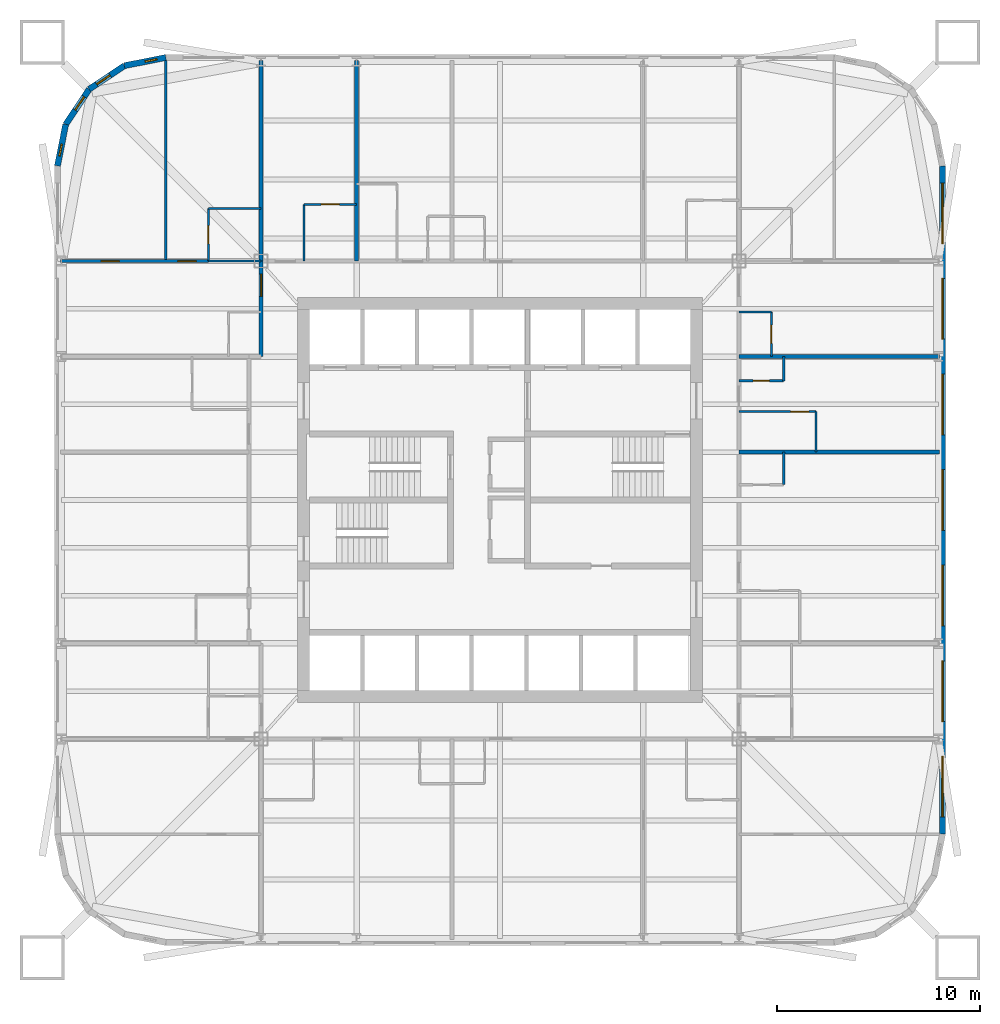
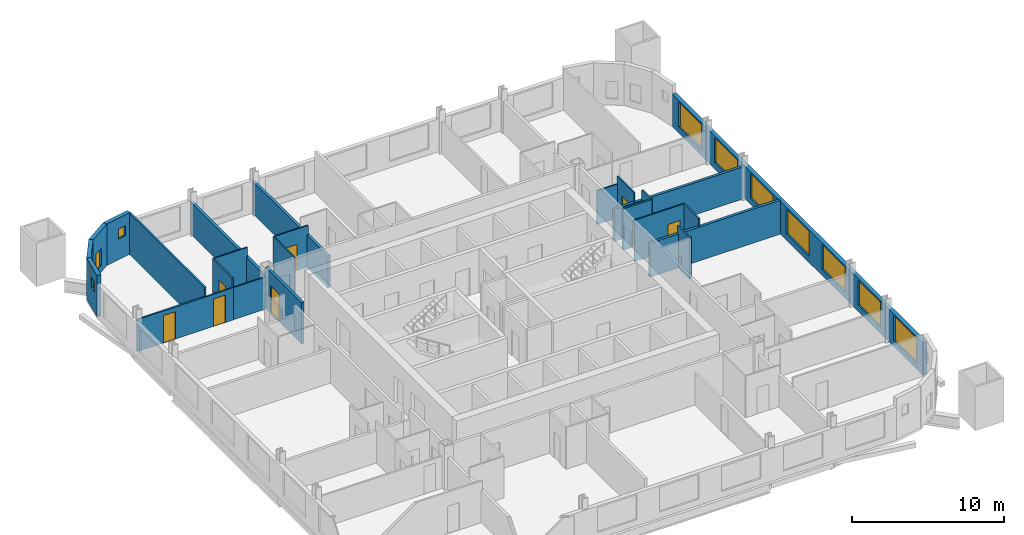
# One storey, part 6 of 9: 24 walls, 11 windows, 8 doors, 19 openings.
"""IFC4 building model written with IfcOpenShell, lengths in metres."""

import ifcopenshell
import ifcopenshell.guid

model = None  # the IFC model being written
_history = None  # IfcOwnerHistory: only IFC2X3 demands one
_inside = {}  # id of a spatial element -> (the spatial element, [elements in it])
_under = {}  # id of a project, library or spatial element -> (it, [spatial elements below it])
_declared = {}  # id of a project -> (the project, [libraries it declares])
_typed = {}  # id of a type object -> (the type object, [elements of that type])
_made_of = {}  # id of a material, layer set ... -> (it, [elements and type objects made of it])


def new_model(schema):
    """Start an empty IFC model of exactly this schema.

    Asked for "IFC4X3", IfcOpenShell would pick the latest addendum, in which some entities
    have other attributes; the version numbers below select the first issue.
    IFC2X3 requires an IfcOwnerHistory on every rooted entity: one is made here for all.
    """
    global model, _history
    if schema == "IFC4X3":
        model = ifcopenshell.file(schema_version=(4, 3, 0, 0))
    else:
        model = ifcopenshell.file(schema=schema)
    _inside.clear()
    _under.clear()
    _declared.clear()
    _typed.clear()
    _made_of.clear()
    _history = None
    if model.schema == "IFC2X3":
        org = make("IfcOrganization", Name="unknown")
        user = make(
            "IfcPersonAndOrganization",
            ThePerson=make("IfcPerson", FamilyName="unknown"),
            TheOrganization=org,
        )
        app = make(
            "IfcApplication",
            ApplicationDeveloper=org,
            Version="unknown",
            ApplicationFullName="unknown",
            ApplicationIdentifier="unknown",
        )
        _history = make(
            "IfcOwnerHistory",
            OwningUser=user,
            OwningApplication=app,
            ChangeAction="ADDED",
            CreationDate=0,
        )
    return model


def make(cls, **values):
    """One entity of the class cls with the attributes given. An attribute that is None is left unset."""
    return model.create_entity(
        cls, **{name: value for name, value in values.items() if value is not None}
    )


def rooted(cls, **values):
    """An entity with a GlobalId (a new one), such as an element, a storey or a relation."""
    return make(cls, GlobalId=ifcopenshell.guid.new(), OwnerHistory=_history, **values)


def si_unit(unit_type, name, prefix=None):
    """IfcSIUnit, for example si_unit("LENGTHUNIT", "METRE", prefix="MILLI")."""
    return make("IfcSIUnit", UnitType=unit_type, Prefix=prefix, Name=name)


def assignment(units):
    """IfcUnitAssignment: the units of a project."""
    return None if units is None else make("IfcUnitAssignment", Units=units)


def point(xyz):
    """IfcCartesianPoint."""
    return None if xyz is None else make("IfcCartesianPoint", Coordinates=xyz)


def direction(xyz):
    """IfcDirection."""
    return None if xyz is None else make("IfcDirection", DirectionRatios=xyz)


def frame(location, z_axis=None, x_axis=None):
    """IfcAxis2Placement3D, a coordinate frame: its origin and axes. An axis left out is left unset."""
    return make(
        "IfcAxis2Placement3D",
        Location=point(location),
        Axis=direction(z_axis),
        RefDirection=direction(x_axis),
    )


def frame_2d(location, x_axis=None):
    """IfcAxis2Placement2D, a coordinate frame in the plane: its origin and x axis."""
    return make(
        "IfcAxis2Placement2D", Location=point(location), RefDirection=direction(x_axis)
    )


def origin():
    """The frame at (0, 0, 0) with its axes left unset."""
    return frame((0.0, 0.0, 0.0))


def place(relative_to, where):
    """IfcLocalPlacement: puts the frame where relative to a parent placement (None: the world)."""
    return make(
        "IfcLocalPlacement", PlacementRelTo=relative_to, RelativePlacement=where
    )


def context(
    kind, dimensions, precision=None, world=None, true_north=None, identifier=None
):
    """IfcGeometricRepresentationContext, for example the 3D "Model" context."""
    return make(
        "IfcGeometricRepresentationContext",
        ContextIdentifier=identifier,
        ContextType=kind,
        CoordinateSpaceDimension=dimensions,
        Precision=precision,
        WorldCoordinateSystem=world,
        TrueNorth=true_north,
    )


def subcontext(parent, identifier, kind, view, scale=None):
    """IfcGeometricRepresentationSubContext, for example "Body" below "Model"."""
    return make(
        "IfcGeometricRepresentationSubContext",
        ContextIdentifier=identifier,
        ContextType=kind,
        ParentContext=parent,
        TargetScale=scale,
        TargetView=view,
    )


def project(units=None, contexts=None):
    """IfcProject with its units and contexts."""
    return rooted(
        "IfcProject",
        Name="project",
        RepresentationContexts=contexts,
        UnitsInContext=assignment(units),
    )


def spatial(cls, under=None, at=None, **own):
    """A site, building, storey or space (cls), placed at a placement, below another one or the project."""
    s = rooted(cls, ObjectPlacement=at, **own)
    if under is not None:
        _under.setdefault(under.id(), (under, []))[1].append(s)
    return s


def profile(cls, at=None, kind="AREA", **sizes):
    """A parametric profile (cls). Its sizes go by their IFC names, for example OverallWidth=200.0."""
    return make(cls, ProfileType=kind, Position=at, **sizes)


def rectangle(**sizes):
    """IfcRectangleProfileDef."""
    return profile("IfcRectangleProfileDef", **sizes)


def extrude(swept, where, along, depth):
    """IfcExtrudedAreaSolid: the profile swept, set in the frame where, extruded along a direction by depth."""
    return make(
        "IfcExtrudedAreaSolid",
        SweptArea=swept,
        Position=where,
        ExtrudedDirection=direction(along),
        Depth=depth,
    )


def shape(context_of_items, identifier, shape_type, items):
    """IfcShapeRepresentation: the items that make up one representation, for example the "Body"."""
    return make(
        "IfcShapeRepresentation",
        ContextOfItems=context_of_items,
        RepresentationIdentifier=identifier,
        RepresentationType=shape_type,
        Items=items,
    )


def material(Name=None, Category=None):
    """IfcMaterial."""
    return make("IfcMaterial", Name=Name, Category=Category)


def layer(
    of_material, thickness, ventilated=None, Name=None, Category=None, Priority=None
):
    """IfcMaterialLayer: one layer of a wall or slab, of a material (None: an air gap)."""
    return make(
        "IfcMaterialLayer",
        Material=of_material,
        LayerThickness=thickness,
        IsVentilated=ventilated,
        Name=Name,
        Category=Category,
        Priority=Priority,
    )


def layer_set(layers, Name=None):
    """IfcMaterialLayerSet."""
    return make("IfcMaterialLayerSet", MaterialLayers=layers, LayerSetName=Name)


def made_of(thing, what):
    """Note that an element or type object is made of a material, layer set ...; save() writes the relation."""
    if what is not None:
        _made_of.setdefault(what.id(), (what, []))[1].append(thing)
    return thing


def type_object(cls, material=None, **own):
    """A type object (cls), such as IfcWallType, which elements share."""
    return made_of(rooted(cls, **own), material)


def element(
    cls,
    number,
    at=None,
    inside=None,
    cuts=None,
    type_object=None,
    material=None,
    context=None,
    identifier="Body",
    shape_type=None,
    held_by="IfcProductDefinitionShape",
    body=None,
    shapes=None,
    **own,
):
    """One element of the class cls, such as IfcWall. Its Tag is "e" and its number.

    at: its placement. inside: the storey or other place that contains it. cuts: it is an
    opening in that element (IfcRelVoidsElement). A single representation is given by context,
    identifier, shape_type and body (its items); several are given by shapes. held_by: the class
    of the entity that holds the representations. save() writes the other relations.
    """
    e = rooted(cls, Tag="e%d" % number, ObjectPlacement=at, **own)
    if body is not None:
        shapes = [shape(context, identifier, shape_type, body)]
    if shapes is not None:
        e.Representation = make(held_by, Representations=shapes)
    if inside is not None:
        _inside.setdefault(inside.id(), (inside, []))[1].append(e)
    if cuts is not None:
        rooted(
            "IfcRelVoidsElement", RelatingBuildingElement=cuts, RelatedOpeningElement=e
        )
    if type_object is not None:
        _typed.setdefault(type_object.id(), (type_object, []))[1].append(e)
    return made_of(e, material)


def fill(opening, filler):
    """IfcRelFillsElement: the door or window that sits in an opening."""
    return rooted(
        "IfcRelFillsElement",
        RelatingOpeningElement=opening,
        RelatedBuildingElement=filler,
    )


def aggregate(whole, parts):
    """IfcRelAggregates: a whole, such as a stair, and the parts it consists of."""
    return rooted("IfcRelAggregates", RelatingObject=whole, RelatedObjects=parts)


def save(model, path):
    """Write the relations noted so far, then the file.

    IfcRelAggregates (storeys below a building ...), IfcRelContainedInSpatialStructure (elements
    in a storey), IfcRelDefinesByType, IfcRelAssociatesMaterial and IfcRelDeclares: one each for
    every whole, place, type object, material and project.
    """
    for whole, parts in _under.values():
        aggregate(whole, parts)
    for where, things in _inside.values():
        rooted(
            "IfcRelContainedInSpatialStructure",
            RelatedElements=things,
            RelatingStructure=where,
        )
    for kind, things in _typed.values():
        rooted("IfcRelDefinesByType", RelatedObjects=things, RelatingType=kind)
    for what, things in _made_of.values():
        rooted("IfcRelAssociatesMaterial", RelatedObjects=things, RelatingMaterial=what)
    for by, libraries in _declared.values():
        rooted("IfcRelDeclares", RelatingContext=by, RelatedDefinitions=libraries)
    model.write(path)


model = new_model("IFC4")

# Units and contexts
model_context = context("Model", 3, precision=1e-05, world=origin(), true_north=direction((0.0, 1.0)))
body_context = subcontext(model_context, "Body", "Model", "MODEL_VIEW")
ifc_project = project(units=[si_unit("LENGTHUNIT", "METRE"), si_unit("AREAUNIT", "SQUARE_METRE"), si_unit("VOLUMEUNIT", "CUBIC_METRE"), si_unit("PLANEANGLEUNIT", "RADIAN"), si_unit("MASSUNIT", "GRAM", prefix="KILO")], contexts=[model_context])

# Site, building, storey
site_placement = place(None, origin())
site = spatial("IfcSite", under=ifc_project, at=site_placement, CompositionType="ELEMENT")
building_placement = place(site_placement, origin())
building = spatial("IfcBuilding", under=site, at=building_placement, Name="Turquesa Mirador Hotel Tower", CompositionType="ELEMENT")
storey_placement = place(building_placement, frame((0.0, 0.0, 81.0)))
storey = spatial("IfcBuildingStorey", under=building, at=storey_placement, Name="L21", CompositionType="ELEMENT", Elevation=81.0)

# Walls
ifc_material_1 = material(Name="Gypsum board on steel studs", Category="steel")
ifc_layer_1 = layer(ifc_material_1, 0.10009765625)
ifc_layer_set_1 = layer_set([ifc_layer_1], Name="BATHROOM WALL 100")
wall_type_1 = type_object("IfcWallType", Name="BATHROOM WALL 100", PredefinedType="PARTITIONING", material=ifc_layer_set_1)
wall_1_placement = place(storey_placement, frame((40.60009765625, 56.800048828125, 0.0), z_axis=(0.0, 0.0, 1.0), x_axis=(1.0, 0.0, 0.0)))
element("IfcWall", 1, at=wall_1_placement, inside=storey, type_object=wall_type_1, Name="Partition L21 018", PredefinedType="PARTITIONING", context=body_context, shape_type="SweptSolid", body=[
    extrude(rectangle(XDim=2.599853515625, YDim=0.10009765625, at=frame_2d((1.2998046875, 0.0))), origin(), (0.0, 0.0, 1.0), 2.572998046875),
])
wall_2_placement = place(storey_placement, frame((40.60009765625, 59.39990234375, 0.0), z_axis=(0.0, 0.0, 1.0), x_axis=(1.0, 0.0, 0.0)))
element("IfcWall", 2, at=wall_2_placement, inside=storey, type_object=wall_type_1, Name="Partition L21 025", PredefinedType="PARTITIONING", context=body_context, shape_type="SweptSolid", body=[
    extrude(rectangle(XDim=2.599853515625, YDim=0.10009765625, at=frame_2d((1.2998046875, 0.0))), origin(), (0.0, 0.0, 1.0), 3.330078125),
])

# Wall, opening, door
wall_3_placement = place(storey_placement, frame((45.320068359375, 59.60009765625, 0.0), z_axis=(0.0, 0.0, 1.0), x_axis=(1.0, 0.0, 0.0)))
wall_3 = element("IfcWall", 3, at=wall_3_placement, inside=storey, type_object=wall_type_1, Name="Partition L21 027", PredefinedType="PARTITIONING", context=body_context, shape_type="SweptSolid", body=[
    extrude(rectangle(XDim=2.599853515625, YDim=0.10009765625, at=frame_2d((1.2998046875, 0.0))), origin(), (0.0, 0.0, 1.0), 3.330078125),
])
opening_1_placement = place(wall_3_placement, frame((0.85009765625, 0.0, 0.0)))
opening_1 = element("IfcOpeningElement", 4, at=opening_1_placement, cuts=wall_3, Name="Opening D02", PredefinedType="OPENING", context=body_context, shape_type="SweptSolid", body=[
    extrude(rectangle(XDim=0.89990234375, YDim=2.10009765625, at=frame_2d((0.449951171875, 1.050048828125))), frame((0.0, 0.06005859375, 0.0), z_axis=(0.0, -1.0, 0.0), x_axis=(1.0, 0.0, 0.0)), (0.0, 0.0, 1.0), 0.1201171875),
])
ifc_material_2 = material(Name="Timber veneered door", Category="wood")
door_type_1 = type_object("IfcDoorType", Name="DOOR 900X2100 EN-SUITE", OperationType="SINGLE_SWING_RIGHT", PredefinedType="DOOR", material=ifc_material_2)
door_1_placement = place(opening_1_placement, origin())
door_1 = element("IfcDoor", 5, at=door_1_placement, inside=storey, type_object=door_type_1, Name="Door 2101B", OperationType="SINGLE_SWING_RIGHT", OverallHeight=2.10009765625, OverallWidth=0.89990234375, PredefinedType="DOOR", context=body_context, shape_type="SweptSolid", body=[
    extrude(rectangle(XDim=0.89990234375, YDim=2.10009765625, at=frame_2d((0.449951171875, 1.050048828125))), frame((0.0, 0.02490234375, 0.0), z_axis=(0.0, -1.0, 0.0), x_axis=(1.0, 0.0, 0.0)), (0.0, 0.0, 1.0), 0.050048828125),
])
fill(opening_1, door_1)

wall_4_placement = place(storey_placement, frame((66.800048828125, 49.360107421875, 0.0), z_axis=(0.0, 0.0, 1.0), x_axis=(1.0, 0.0, 0.0)))
wall_4 = element("IfcWall", 6, at=wall_4_placement, inside=storey, type_object=wall_type_1, Name="Partition L21 032", PredefinedType="PARTITIONING", context=body_context, shape_type="SweptSolid", body=[
    extrude(rectangle(XDim=3.800048828125, YDim=0.10009765625, at=frame_2d((1.89990234375, 0.0))), origin(), (0.0, 0.0, 1.0), 3.330078125),
])
opening_2_placement = place(wall_4_placement, frame((2.550048828125, 0.0, 0.0)))
opening_2 = element("IfcOpeningElement", 7, at=opening_2_placement, cuts=wall_4, Name="Opening D02", PredefinedType="OPENING", context=body_context, shape_type="SweptSolid", body=[
    extrude(rectangle(XDim=0.89990234375, YDim=2.10009765625, at=frame_2d((0.449951171875, 1.050048828125))), frame((0.0, 0.06005859375, 0.0), z_axis=(0.0, -1.0, 0.0), x_axis=(1.0, 0.0, 0.0)), (0.0, 0.0, 1.0), 0.1201171875),
])
door_2_placement = place(opening_2_placement, origin())
door_2 = element("IfcDoor", 8, at=door_2_placement, inside=storey, type_object=door_type_1, Name="Door 2107B", OperationType="SINGLE_SWING_RIGHT", OverallHeight=2.10009765625, OverallWidth=0.89990234375, PredefinedType="DOOR", context=body_context, shape_type="SweptSolid", body=[
    extrude(rectangle(XDim=0.89990234375, YDim=2.10009765625, at=frame_2d((0.449951171875, 1.050048828125))), frame((0.0, 0.02490234375, 0.0), z_axis=(0.0, -1.0, 0.0), x_axis=(1.0, 0.0, 0.0)), (0.0, 0.0, 1.0), 0.050048828125),
])
fill(opening_2, door_2)

# Wall
wall_5_placement = place(storey_placement, frame((66.800048828125, 54.280029296875, 0.0), z_axis=(0.0, 0.0, 1.0), x_axis=(1.0, 0.0, 0.0)))
element("IfcWall", 9, at=wall_5_placement, inside=storey, type_object=wall_type_1, Name="Partition L21 039", PredefinedType="PARTITIONING", context=body_context, shape_type="SweptSolid", body=[
    extrude(rectangle(XDim=1.599853515625, YDim=0.10009765625, at=frame_2d((0.7998046875, 0.0))), origin(), (0.0, 0.0, 1.0), 2.722900390625),
])

# Wall, opening, door
wall_6_placement = place(storey_placement, frame((40.60009765625, 56.800048828125, 0.0), z_axis=(0.0, 0.0, 1.0), x_axis=(0.0, 1.0, 0.0)))
wall_6 = element("IfcWall", 10, at=wall_6_placement, inside=storey, type_object=wall_type_1, Name="Partition L21 049", PredefinedType="PARTITIONING", context=body_context, shape_type="SweptSolid", body=[
    extrude(rectangle(XDim=2.599853515625, YDim=0.10009765625, at=frame_2d((1.2998046875, 0.0))), origin(), (0.0, 0.0, 1.0), 3.330078125),
])
opening_3_placement = place(wall_6_placement, frame((0.85009765625, 0.0, 0.0)))
opening_3 = element("IfcOpeningElement", 11, at=opening_3_placement, cuts=wall_6, Name="Opening D02", PredefinedType="OPENING", context=body_context, shape_type="SweptSolid", body=[
    extrude(rectangle(XDim=0.89990234375, YDim=2.10009765625, at=frame_2d((0.449951171875, 1.050048828125))), frame((0.0, 0.06005859375, 0.0), z_axis=(0.0, -1.0, 0.0), x_axis=(1.0, 0.0, 0.0)), (0.0, 0.0, 1.0), 0.1201171875),
])
door_3_placement = place(opening_3_placement, origin())
door_3 = element("IfcDoor", 12, at=door_3_placement, inside=storey, type_object=door_type_1, Name="Door 2110B", OperationType="SINGLE_SWING_RIGHT", OverallHeight=2.10009765625, OverallWidth=0.89990234375, PredefinedType="DOOR", context=body_context, shape_type="SweptSolid", body=[
    extrude(rectangle(XDim=0.89990234375, YDim=2.10009765625, at=frame_2d((0.449951171875, 1.050048828125))), frame((0.0, 0.02490234375, 0.0), z_axis=(0.0, -1.0, 0.0), x_axis=(1.0, 0.0, 0.0)), (0.0, 0.0, 1.0), 0.050048828125),
])
fill(opening_3, door_3)

# Wall
wall_7_placement = place(storey_placement, frame((45.320068359375, 56.800048828125, 0.0), z_axis=(0.0, 0.0, 1.0), x_axis=(0.0, 1.0, 0.0)))
element("IfcWall", 13, at=wall_7_placement, inside=storey, type_object=wall_type_1, Name="Partition L21 061", PredefinedType="PARTITIONING", context=body_context, shape_type="SweptSolid", body=[
    extrude(rectangle(XDim=2.800048828125, YDim=0.10009765625, at=frame_2d((1.39990234375, 0.0))), origin(), (0.0, 0.0, 1.0), 3.330078125),
])

# Wall, opening, door
wall_8_placement = place(storey_placement, frame((68.39990234375, 52.080078125, 0.0), z_axis=(0.0, 0.0, 1.0), x_axis=(0.0, 1.0, 0.0)))
wall_8 = element("IfcWall", 14, at=wall_8_placement, inside=storey, type_object=wall_type_1, Name="Partition L21 065", PredefinedType="PARTITIONING", context=body_context, shape_type="SweptSolid", body=[
    extrude(rectangle(XDim=2.199951171875, YDim=0.10009765625, at=frame_2d((1.10009765625, 0.0))), origin(), (0.0, 0.0, 1.0), 3.330078125),
])
opening_4_placement = place(wall_8_placement, frame((0.64990234375, 0.0, 0.0)))
opening_4 = element("IfcOpeningElement", 15, at=opening_4_placement, cuts=wall_8, Name="Opening D06", PredefinedType="OPENING", context=body_context, shape_type="SweptSolid", body=[
    extrude(rectangle(XDim=0.89990234375, YDim=2.10009765625, at=frame_2d((0.449951171875, 1.050048828125))), frame((0.0, 0.06005859375, 0.0), z_axis=(0.0, -1.0, 0.0), x_axis=(1.0, 0.0, 0.0)), (0.0, 0.0, 1.0), 0.1201171875),
])
ifc_material_3 = material(Name="Laminate door", Category="wood")
door_type_2 = type_object("IfcDoorType", Name="DOOR 900X2100 WC", OperationType="SINGLE_SWING_LEFT", PredefinedType="DOOR", material=ifc_material_3)
door_4_placement = place(opening_4_placement, origin())
door_4 = element("IfcDoor", 16, at=door_4_placement, inside=storey, type_object=door_type_2, Name="Door 2109W", OperationType="SINGLE_SWING_LEFT", OverallHeight=2.10009765625, OverallWidth=0.89990234375, PredefinedType="DOOR", context=body_context, shape_type="SweptSolid", body=[
    extrude(rectangle(XDim=0.89990234375, YDim=2.10009765625, at=frame_2d((0.449951171875, 1.050048828125))), frame((0.0, 0.02490234375, 0.0), z_axis=(0.0, -1.0, 0.0), x_axis=(1.0, 0.0, 0.0)), (0.0, 0.0, 1.0), 0.050048828125),
])
fill(opening_4, door_4)

# Wall
wall_9_placement = place(storey_placement, frame((70.60009765625, 47.360107421875, 0.0), z_axis=(0.0, 0.0, 1.0), x_axis=(0.0, 1.0, 0.0)))
element("IfcWall", 17, at=wall_9_placement, inside=storey, type_object=wall_type_1, Name="Partition L21 072", PredefinedType="PARTITIONING", context=body_context, shape_type="SweptSolid", body=[
    extrude(rectangle(XDim=2.0, YDim=0.10009765625, at=frame_2d((1.0, 0.0))), origin(), (0.0, 0.0, 1.0), 3.330078125),
])

# Wall, opening, door
ifc_material_4 = material(Name="Fire-rated gypsum board on steel studs", Category="steel")
ifc_layer_2 = layer(ifc_material_4, 0.199951171875)
ifc_layer_set_2 = layer_set([ifc_layer_2], Name="CORRIDOR WALL 200")
wall_type_2 = type_object("IfcWallType", Name="CORRIDOR WALL 200", PredefinedType="PARTITIONING", material=ifc_layer_set_2)
wall_10_placement = place(storey_placement, frame((43.199951171875, 52.080078125, 0.0), z_axis=(0.0, 0.0, 1.0), x_axis=(0.0, 1.0, 0.0)))
wall_10 = element("IfcWall", 18, at=wall_10_placement, inside=storey, type_object=wall_type_2, Name="Partition L21 043", PredefinedType="PARTITIONING", context=body_context, shape_type="SweptSolid", body=[
    extrude(rectangle(XDim=4.719970703125, YDim=0.199951171875, at=frame_2d((2.35986328125, 0.0))), origin(), (0.0, 0.0, 1.0), 3.330078125),
])
opening_5_placement = place(wall_10_placement, frame((2.969970703125, 0.0, 0.0)))
opening_5 = element("IfcOpeningElement", 19, at=opening_5_placement, cuts=wall_10, Name="Opening D15", PredefinedType="OPENING", context=body_context, shape_type="SweptSolid", body=[
    extrude(rectangle(XDim=1.10009765625, YDim=2.199951171875, at=frame_2d((0.550048828125, 1.10009765625))), frame((0.0, 0.10986328125, 0.0), z_axis=(0.0, -1.0, 0.0), x_axis=(1.0, 0.0, 0.0)), (0.0, 0.0, 1.0), 0.219970703125),
])
ifc_material_5 = material(Name="Timber veneered fire door", Category="wood")
door_type_3 = type_object("IfcDoorType", Name="DOOR 1100X2200 SUITE ENTRY", OperationType="SINGLE_SWING_LEFT", PredefinedType="DOOR", material=ifc_material_5)
door_5_placement = place(opening_5_placement, origin())
door_5 = element("IfcDoor", 20, at=door_5_placement, inside=storey, type_object=door_type_3, Name="Door 2110", OperationType="SINGLE_SWING_LEFT", OverallHeight=2.199951171875, OverallWidth=1.10009765625, PredefinedType="DOOR", context=body_context, shape_type="SweptSolid", body=[
    extrude(rectangle(XDim=1.10009765625, YDim=2.199951171875, at=frame_2d((0.550048828125, 1.10009765625))), frame((0.0, 0.02490234375, 0.0), z_axis=(0.0, -1.0, 0.0), x_axis=(1.0, 0.0, 0.0)), (0.0, 0.0, 1.0), 0.050048828125),
])
fill(opening_5, door_5)

# Wall, openings, windows
ifc_material_6 = material(Name="Limestone cladding on concrete block", Category="masonry")
ifc_layer_3 = layer(ifc_material_6, 0.300048828125)
ifc_layer_set_3 = layer_set([ifc_layer_3], Name="FACADE WALL 300 STONE SCREEN")
wall_type_3 = type_object("IfcWallType", Name="FACADE WALL 300 STONE SCREEN", PredefinedType="SOLIDWALL", material=ifc_layer_set_3)
wall_11_placement = place(storey_placement, frame((76.85009765625, 28.5, 0.0), z_axis=(0.0, 0.0, 1.0), x_axis=(0.0, 1.0, 0.0)))
wall_11 = element("IfcWall", 21, at=wall_11_placement, inside=storey, type_object=wall_type_3, Name="Facade wall L21 04", PredefinedType="SOLIDWALL", context=body_context, shape_type="SweptSolid", body=[
    extrude(rectangle(XDim=33.0, YDim=0.300048828125, at=frame_2d((16.5, 0.0))), origin(), (0.0, 0.0, 1.0), 2.6298828125),
])
opening_6_placement = place(wall_11_placement, frame((0.85009765625, 0.0, 0.5)))
opening_6 = element("IfcOpeningElement", 22, at=opening_6_placement, cuts=wall_11, Name="Opening WN1", PredefinedType="OPENING", context=body_context, shape_type="SweptSolid", body=[
    extrude(rectangle(XDim=3.0, YDim=2.0, at=frame_2d((1.5, 1.0))), frame((0.0, 0.159912109375, 0.0), z_axis=(0.0, -1.0, 0.0), x_axis=(1.0, 0.0, 0.0)), (0.0, 0.0, 1.0), 0.320068359375),
])
opening_7_placement = place(wall_11_placement, frame((5.56005859375, 0.0, 0.5)))
opening_7 = element("IfcOpeningElement", 23, at=opening_7_placement, cuts=wall_11, Name="Opening WN1", PredefinedType="OPENING", context=body_context, shape_type="SweptSolid", body=[
    extrude(rectangle(XDim=3.0, YDim=2.0, at=frame_2d((1.5, 1.0))), frame((0.0, 0.159912109375, 0.0), z_axis=(0.0, -1.0, 0.0), x_axis=(1.0, 0.0, 0.0)), (0.0, 0.0, 1.0), 0.320068359375),
])
opening_8_placement = place(wall_11_placement, frame((10.280029296875, 0.0, 0.5)))
opening_8 = element("IfcOpeningElement", 24, at=opening_8_placement, cuts=wall_11, Name="Opening WN1", PredefinedType="OPENING", context=body_context, shape_type="SweptSolid", body=[
    extrude(rectangle(XDim=3.0, YDim=2.0, at=frame_2d((1.5, 1.0))), frame((0.0, 0.159912109375, 0.0), z_axis=(0.0, -1.0, 0.0), x_axis=(1.0, 0.0, 0.0)), (0.0, 0.0, 1.0), 0.320068359375),
])
opening_9_placement = place(wall_11_placement, frame((15.0, 0.0, 0.5)))
opening_9 = element("IfcOpeningElement", 25, at=opening_9_placement, cuts=wall_11, Name="Opening WN1", PredefinedType="OPENING", context=body_context, shape_type="SweptSolid", body=[
    extrude(rectangle(XDim=3.0, YDim=2.0, at=frame_2d((1.5, 1.0))), frame((0.0, 0.159912109375, 0.0), z_axis=(0.0, -1.0, 0.0), x_axis=(1.0, 0.0, 0.0)), (0.0, 0.0, 1.0), 0.320068359375),
])
opening_10_placement = place(wall_11_placement, frame((19.719970703125, 0.0, 0.5)))
opening_10 = element("IfcOpeningElement", 26, at=opening_10_placement, cuts=wall_11, Name="Opening WN1", PredefinedType="OPENING", context=body_context, shape_type="SweptSolid", body=[
    extrude(rectangle(XDim=3.0, YDim=2.0, at=frame_2d((1.5, 1.0))), frame((0.0, 0.159912109375, 0.0), z_axis=(0.0, -1.0, 0.0), x_axis=(1.0, 0.0, 0.0)), (0.0, 0.0, 1.0), 0.320068359375),
])
opening_11_placement = place(wall_11_placement, frame((24.43994140625, 0.0, 0.5)))
opening_11 = element("IfcOpeningElement", 27, at=opening_11_placement, cuts=wall_11, Name="Opening WN1", PredefinedType="OPENING", context=body_context, shape_type="SweptSolid", body=[
    extrude(rectangle(XDim=3.0, YDim=2.0, at=frame_2d((1.5, 1.0))), frame((0.0, 0.159912109375, 0.0), z_axis=(0.0, -1.0, 0.0), x_axis=(1.0, 0.0, 0.0)), (0.0, 0.0, 1.0), 0.320068359375),
])
opening_12_placement = place(wall_11_placement, frame((29.14990234375, 0.0, 0.5)))
opening_12 = element("IfcOpeningElement", 28, at=opening_12_placement, cuts=wall_11, Name="Opening WN1", PredefinedType="OPENING", context=body_context, shape_type="SweptSolid", body=[
    extrude(rectangle(XDim=3.0, YDim=2.0, at=frame_2d((1.5, 1.0))), frame((0.0, 0.159912109375, 0.0), z_axis=(0.0, -1.0, 0.0), x_axis=(1.0, 0.0, 0.0)), (0.0, 0.0, 1.0), 0.320068359375),
])
ifc_material_7 = material(Name="Ceramic-fritted laminated glass", Category="glass")
window_type_1 = type_object("IfcWindowType", Name="FRITTED WINDOW 3000X2000", PartitioningType="DOUBLE_PANEL_HORIZONTAL", PredefinedType="WINDOW", material=ifc_material_7)
window_1_placement = place(opening_6_placement, origin())
window_1 = element("IfcWindow", 29, at=window_1_placement, inside=storey, type_object=window_type_1, Name="Window L21", OverallHeight=2.0, OverallWidth=3.0, PartitioningType="SINGLE_PANEL", PredefinedType="WINDOW", context=body_context, shape_type="SweptSolid", body=[
    extrude(rectangle(XDim=3.0, YDim=2.0, at=frame_2d((1.5, 1.0))), frame((0.0, 0.030029296875, 0.0), z_axis=(0.0, -1.0, 0.0), x_axis=(1.0, 0.0, 0.0)), (0.0, 0.0, 1.0), 0.06005859375),
])
fill(opening_6, window_1)
window_2_placement = place(opening_7_placement, origin())
window_2 = element("IfcWindow", 30, at=window_2_placement, inside=storey, type_object=window_type_1, Name="Window L21", OverallHeight=2.0, OverallWidth=3.0, PartitioningType="SINGLE_PANEL", PredefinedType="WINDOW", context=body_context, shape_type="SweptSolid", body=[
    extrude(rectangle(XDim=3.0, YDim=2.0, at=frame_2d((1.5, 1.0))), frame((0.0, 0.030029296875, 0.0), z_axis=(0.0, -1.0, 0.0), x_axis=(1.0, 0.0, 0.0)), (0.0, 0.0, 1.0), 0.06005859375),
])
fill(opening_7, window_2)
window_3_placement = place(opening_8_placement, origin())
window_3 = element("IfcWindow", 31, at=window_3_placement, inside=storey, type_object=window_type_1, Name="Window L21", OverallHeight=2.0, OverallWidth=3.0, PartitioningType="SINGLE_PANEL", PredefinedType="WINDOW", context=body_context, shape_type="SweptSolid", body=[
    extrude(rectangle(XDim=3.0, YDim=2.0, at=frame_2d((1.5, 1.0))), frame((0.0, 0.030029296875, 0.0), z_axis=(0.0, -1.0, 0.0), x_axis=(1.0, 0.0, 0.0)), (0.0, 0.0, 1.0), 0.06005859375),
])
fill(opening_8, window_3)
window_4_placement = place(opening_9_placement, origin())
window_4 = element("IfcWindow", 32, at=window_4_placement, inside=storey, type_object=window_type_1, Name="Window L21", OverallHeight=2.0, OverallWidth=3.0, PartitioningType="SINGLE_PANEL", PredefinedType="WINDOW", context=body_context, shape_type="SweptSolid", body=[
    extrude(rectangle(XDim=3.0, YDim=2.0, at=frame_2d((1.5, 1.0))), frame((0.0, 0.030029296875, 0.0), z_axis=(0.0, -1.0, 0.0), x_axis=(1.0, 0.0, 0.0)), (0.0, 0.0, 1.0), 0.06005859375),
])
fill(opening_9, window_4)
window_5_placement = place(opening_10_placement, origin())
window_5 = element("IfcWindow", 33, at=window_5_placement, inside=storey, type_object=window_type_1, Name="Window L21", OverallHeight=2.0, OverallWidth=3.0, PartitioningType="SINGLE_PANEL", PredefinedType="WINDOW", context=body_context, shape_type="SweptSolid", body=[
    extrude(rectangle(XDim=3.0, YDim=2.0, at=frame_2d((1.5, 1.0))), frame((0.0, 0.030029296875, 0.0), z_axis=(0.0, -1.0, 0.0), x_axis=(1.0, 0.0, 0.0)), (0.0, 0.0, 1.0), 0.06005859375),
])
fill(opening_10, window_5)
window_6_placement = place(opening_11_placement, origin())
window_6 = element("IfcWindow", 34, at=window_6_placement, inside=storey, type_object=window_type_1, Name="Window L21", OverallHeight=2.0, OverallWidth=3.0, PartitioningType="SINGLE_PANEL", PredefinedType="WINDOW", context=body_context, shape_type="SweptSolid", body=[
    extrude(rectangle(XDim=3.0, YDim=2.0, at=frame_2d((1.5, 1.0))), frame((0.0, 0.030029296875, 0.0), z_axis=(0.0, -1.0, 0.0), x_axis=(1.0, 0.0, 0.0)), (0.0, 0.0, 1.0), 0.06005859375),
])
fill(opening_11, window_6)
window_7_placement = place(opening_12_placement, origin())
window_7 = element("IfcWindow", 35, at=window_7_placement, inside=storey, type_object=window_type_1, Name="Window L21", OverallHeight=2.0, OverallWidth=3.0, PartitioningType="SINGLE_PANEL", PredefinedType="WINDOW", context=body_context, shape_type="SweptSolid", body=[
    extrude(rectangle(XDim=3.0, YDim=2.0, at=frame_2d((1.5, 1.0))), frame((0.0, 0.030029296875, 0.0), z_axis=(0.0, -1.0, 0.0), x_axis=(1.0, 0.0, 0.0)), (0.0, 0.0, 1.0), 0.06005859375),
])
fill(opening_12, window_7)

# Wall, opening, window
wall_12_placement = place(storey_placement, frame((38.5, 66.85009765625, 0.0), z_axis=(0.0, 0.0, 1.0), x_axis=(-0.980787050784, -0.195081421501, 0.0)))
wall_12 = element("IfcWall", 36, at=wall_12_placement, inside=storey, type_object=wall_type_3, Name="Facade wall L21 10", PredefinedType="SOLIDWALL", context=body_context, shape_type="SweptSolid", body=[
    extrude(rectangle(XDim=2.08740234375, YDim=0.300048828125, at=frame_2d((1.043701171875, 0.0))), origin(), (0.0, 0.0, 1.0), 3.330078125),
])
opening_13_placement = place(wall_12_placement, frame((0.443603515625, 0.0, 1.64990234375)))
opening_13 = element("IfcOpeningElement", 37, at=opening_13_placement, cuts=wall_12, Name="Opening WN10", PredefinedType="OPENING", context=body_context, shape_type="SweptSolid", body=[
    extrude(rectangle(XDim=0.60009765625, YDim=0.800048828125, at=frame_2d((0.300048828125, 0.39990234375))), frame((0.0, 0.159912109375, 0.0), z_axis=(0.0, -1.0, 0.0), x_axis=(1.0, 0.0, 0.0)), (0.0, 0.0, 1.0), 0.320068359375),
])
ifc_material_8 = material(Name="Ceramic-fritted laminated glass", Category="glass")
window_type_2 = type_object("IfcWindowType", Name="FRITTED CORNER WINDOW 600X800", PartitioningType="DOUBLE_PANEL_HORIZONTAL", PredefinedType="WINDOW", material=ifc_material_8)
window_8_placement = place(opening_13_placement, origin())
window_8 = element("IfcWindow", 38, at=window_8_placement, inside=storey, type_object=window_type_2, Name="Window L21", OverallHeight=0.800048828125, OverallWidth=0.60009765625, PartitioningType="SINGLE_PANEL", PredefinedType="WINDOW", context=body_context, shape_type="SweptSolid", body=[
    extrude(rectangle(XDim=0.60009765625, YDim=0.800048828125, at=frame_2d((0.300048828125, 0.39990234375))), frame((0.0, 0.030029296875, 0.0), z_axis=(0.0, -1.0, 0.0), x_axis=(1.0, 0.0, 0.0)), (0.0, 0.0, 1.0), 0.06005859375),
])
fill(opening_13, window_8)

wall_13_placement = place(storey_placement, frame((36.45263671875, 66.44287109375, 0.0), z_axis=(0.0, 0.0, 1.0), x_axis=(-0.831420010345, -0.555644460423, 0.0)))
wall_13 = element("IfcWall", 39, at=wall_13_placement, inside=storey, type_object=wall_type_3, Name="Facade wall L21 11", PredefinedType="SOLIDWALL", context=body_context, shape_type="SweptSolid", body=[
    extrude(rectangle(XDim=2.08740234375, YDim=0.300048828125, at=frame_2d((1.043701171875, 0.0))), origin(), (0.0, 0.0, 1.0), 3.330078125),
])
opening_14_placement = place(wall_13_placement, frame((0.84375, 0.0, 0.5)))
opening_14 = element("IfcOpeningElement", 40, at=opening_14_placement, cuts=wall_13, Name="Opening WN20", PredefinedType="OPENING", context=body_context, shape_type="SweptSolid", body=[
    extrude(rectangle(XDim=0.800048828125, YDim=1.39990234375, at=frame_2d((0.39990234375, 0.699951171875))), frame((0.0, 0.159912109375, 0.0), z_axis=(0.0, -1.0, 0.0), x_axis=(1.0, 0.0, 0.0)), (0.0, 0.0, 1.0), 0.320068359375),
])
ifc_material_9 = material(Name="Ceramic-fritted laminated glass", Category="glass")
window_type_3 = type_object("IfcWindowType", Name="FRITTED CORNER WINDOW 800X1400", PartitioningType="DOUBLE_PANEL_HORIZONTAL", PredefinedType="WINDOW", material=ifc_material_9)
window_9_placement = place(opening_14_placement, origin())
window_9 = element("IfcWindow", 41, at=window_9_placement, inside=storey, type_object=window_type_3, Name="Window L21", OverallHeight=1.39990234375, OverallWidth=0.800048828125, PartitioningType="SINGLE_PANEL", PredefinedType="WINDOW", context=body_context, shape_type="SweptSolid", body=[
    extrude(rectangle(XDim=0.800048828125, YDim=1.39990234375, at=frame_2d((0.39990234375, 0.699951171875))), frame((0.0, 0.030029296875, 0.0), z_axis=(0.0, -1.0, 0.0), x_axis=(1.0, 0.0, 0.0)), (0.0, 0.0, 1.0), 0.06005859375),
])
fill(opening_14, window_9)

wall_14_placement = place(storey_placement, frame((34.717041015625, 65.282958984375, 0.0), z_axis=(0.0, 0.0, 1.0), x_axis=(-0.555644460423, -0.831420010345, 0.0)))
wall_14 = element("IfcWall", 42, at=wall_14_placement, inside=storey, type_object=wall_type_3, Name="Facade wall L21 12", PredefinedType="SOLIDWALL", context=body_context, shape_type="SweptSolid", body=[
    extrude(rectangle(XDim=2.08740234375, YDim=0.300048828125, at=frame_2d((1.043701171875, 0.0))), origin(), (0.0, 0.0, 1.0), 3.330078125),
])
opening_15_placement = place(wall_14_placement, frame((0.443603515625, 0.0, 0.5)))
opening_15 = element("IfcOpeningElement", 43, at=opening_15_placement, cuts=wall_14, Name="Opening WN20", PredefinedType="OPENING", context=body_context, shape_type="SweptSolid", body=[
    extrude(rectangle(XDim=0.800048828125, YDim=1.39990234375, at=frame_2d((0.39990234375, 0.699951171875))), frame((0.0, 0.159912109375, 0.0), z_axis=(0.0, -1.0, 0.0), x_axis=(1.0, 0.0, 0.0)), (0.0, 0.0, 1.0), 0.320068359375),
])
window_10_placement = place(opening_15_placement, origin())
window_10 = element("IfcWindow", 44, at=window_10_placement, inside=storey, type_object=window_type_3, Name="Window L21", OverallHeight=1.39990234375, OverallWidth=0.800048828125, PartitioningType="SINGLE_PANEL", PredefinedType="WINDOW", context=body_context, shape_type="SweptSolid", body=[
    extrude(rectangle(XDim=0.800048828125, YDim=1.39990234375, at=frame_2d((0.39990234375, 0.699951171875))), frame((0.0, 0.030029296875, 0.0), z_axis=(0.0, -1.0, 0.0), x_axis=(1.0, 0.0, 0.0)), (0.0, 0.0, 1.0), 0.06005859375),
])
fill(opening_15, window_10)

wall_15_placement = place(storey_placement, frame((33.55712890625, 63.54736328125, 0.0), z_axis=(0.0, 0.0, 1.0), x_axis=(-0.195081421501, -0.980787050784, 0.0)))
wall_15 = element("IfcWall", 45, at=wall_15_placement, inside=storey, type_object=wall_type_3, Name="Facade wall L21 13", PredefinedType="SOLIDWALL", context=body_context, shape_type="SweptSolid", body=[
    extrude(rectangle(XDim=2.08740234375, YDim=0.300048828125, at=frame_2d((1.043701171875, 0.0))), origin(), (0.0, 0.0, 1.0), 3.330078125),
])
opening_16_placement = place(wall_15_placement, frame((0.99365234375, 0.0, 1.64990234375)))
opening_16 = element("IfcOpeningElement", 46, at=opening_16_placement, cuts=wall_15, Name="Opening WN10", PredefinedType="OPENING", context=body_context, shape_type="SweptSolid", body=[
    extrude(rectangle(XDim=0.60009765625, YDim=0.800048828125, at=frame_2d((0.300048828125, 0.39990234375))), frame((0.0, 0.159912109375, 0.0), z_axis=(0.0, -1.0, 0.0), x_axis=(1.0, 0.0, 0.0)), (0.0, 0.0, 1.0), 0.320068359375),
])
window_11_placement = place(opening_16_placement, origin())
window_11 = element("IfcWindow", 47, at=window_11_placement, inside=storey, type_object=window_type_2, Name="Window L21", OverallHeight=0.800048828125, OverallWidth=0.60009765625, PartitioningType="SINGLE_PANEL", PredefinedType="WINDOW", context=body_context, shape_type="SweptSolid", body=[
    extrude(rectangle(XDim=0.60009765625, YDim=0.800048828125, at=frame_2d((0.300048828125, 0.39990234375))), frame((0.0, 0.030029296875, 0.0), z_axis=(0.0, -1.0, 0.0), x_axis=(1.0, 0.0, 0.0)), (0.0, 0.0, 1.0), 0.06005859375),
])
fill(opening_16, window_11)

# Walls
ifc_material_10 = material(Name="Fire-rated gypsum board on steel studs", Category="steel")
ifc_layer_4 = layer(ifc_material_10, 0.199951171875)
ifc_layer_set_4 = layer_set([ifc_layer_4], Name="PARTY WALL 200")
wall_type_4 = type_object("IfcWallType", Name="PARTY WALL 200", PredefinedType="PARTITIONING", material=ifc_layer_set_4)
wall_16_placement = place(storey_placement, frame((66.800048828125, 47.360107421875, 0.0), z_axis=(0.0, 0.0, 1.0), x_axis=(1.0, 0.0, 0.0)))
element("IfcWall", 48, at=wall_16_placement, inside=storey, type_object=wall_type_4, Name="Partition L21 031", PredefinedType="PARTITIONING", context=body_context, shape_type="SweptSolid", body=[
    extrude(rectangle(XDim=9.89990234375, YDim=0.199951171875, at=frame_2d((4.949951171875, 0.0))), origin(), (0.0, 0.0, 1.0), 2.722900390625),
])
for number, where, z_axis, x_axis, name in (
    (49, (66.800048828125, 52.080078125, 0.0), (0.0, 0.0, 1.0), (1.0, 0.0, 0.0), "Partition L21 037"),
    (50, (43.199951171875, 56.800048828125, 0.0), (0.0, 0.0, 1.0), (0.0, 1.0, 0.0), "Partition L21 045"),
    (51, (47.919921875, 56.800048828125, 0.0), (0.0, 0.0, 1.0), (0.0, 1.0, 0.0), "Partition L21 059"),
):
    element("IfcWall", number, at=place(storey_placement, frame(where, z_axis=z_axis, x_axis=x_axis)), inside=storey, type_object=wall_type_4, Name=name, PredefinedType="PARTITIONING", context=body_context, shape_type="SweptSolid", body=[
        extrude(rectangle(XDim=9.89990234375, YDim=0.199951171875, at=frame_2d((4.949951171875, 0.0))), origin(), (0.0, 0.0, 1.0), 2.572998046875),
    ])

# Wall, openings, doors
ifc_material_11 = material(Name="Acoustic gypsum board on steel studs", Category="steel")
ifc_layer_5 = layer(ifc_material_11, 0.125)
ifc_layer_set_5 = layer_set([ifc_layer_5], Name="SUITE PARTITION 125")
wall_type_5 = type_object("IfcWallType", Name="SUITE PARTITION 125", PredefinedType="PARTITIONING", material=ifc_layer_set_5)
wall_17_placement = place(storey_placement, frame((33.300048828125, 56.800048828125, 0.0), z_axis=(0.0, 0.0, 1.0), x_axis=(1.0, 0.0, 0.0)))
wall_17 = element("IfcWall", 52, at=wall_17_placement, inside=storey, type_object=wall_type_5, Name="Partition L21 021", PredefinedType="PARTITIONING", context=body_context, shape_type="SweptSolid", body=[
    extrude(rectangle(XDim=7.300048828125, YDim=0.125, at=frame_2d((3.64990234375, 0.0))), origin(), (0.0, 0.0, 1.0), 2.572998046875),
])
opening_17_placement = place(wall_17_placement, frame((5.800048828125, 0.0, 0.0)))
opening_17 = element("IfcOpeningElement", 53, at=opening_17_placement, cuts=wall_17, Name="Opening D17", PredefinedType="OPENING", context=body_context, shape_type="SweptSolid", body=[
    extrude(rectangle(XDim=0.89990234375, YDim=2.199951171875, at=frame_2d((0.449951171875, 1.10009765625))), frame((0.0, 0.072509765625, 0.0), z_axis=(0.0, -1.0, 0.0), x_axis=(1.0, 0.0, 0.0)), (0.0, 0.0, 1.0), 0.14501953125),
])
opening_18_placement = place(wall_17_placement, frame((2.0, 0.0, 0.0)))
opening_18 = element("IfcOpeningElement", 54, at=opening_18_placement, cuts=wall_17, Name="Opening D17", PredefinedType="OPENING", context=body_context, shape_type="SweptSolid", body=[
    extrude(rectangle(XDim=0.89990234375, YDim=2.199951171875, at=frame_2d((0.449951171875, 1.10009765625))), frame((0.0, 0.072509765625, 0.0), z_axis=(0.0, -1.0, 0.0), x_axis=(1.0, 0.0, 0.0)), (0.0, 0.0, 1.0), 0.14501953125),
])
ifc_material_12 = material(Name="Timber veneered door", Category="wood")
door_type_4 = type_object("IfcDoorType", Name="DOOR 900X2200 SUITE INTERNAL", OperationType="SINGLE_SWING_LEFT", PredefinedType="DOOR", material=ifc_material_12)
door_6_placement = place(opening_17_placement, origin())
door_6 = element("IfcDoor", 55, at=door_6_placement, inside=storey, type_object=door_type_4, Name="Door 2110R", OperationType="SINGLE_SWING_LEFT", OverallHeight=2.199951171875, OverallWidth=0.89990234375, PredefinedType="DOOR", context=body_context, shape_type="SweptSolid", body=[
    extrude(rectangle(XDim=0.89990234375, YDim=2.199951171875, at=frame_2d((0.449951171875, 1.10009765625))), frame((0.0, 0.02490234375, 0.0), z_axis=(0.0, -1.0, 0.0), x_axis=(1.0, 0.0, 0.0)), (0.0, 0.0, 1.0), 0.050048828125),
])
fill(opening_17, door_6)
door_7_placement = place(opening_18_placement, origin())
door_7 = element("IfcDoor", 56, at=door_7_placement, inside=storey, type_object=door_type_4, Name="Door 2110S", OperationType="SINGLE_SWING_LEFT", OverallHeight=2.199951171875, OverallWidth=0.89990234375, PredefinedType="DOOR", context=body_context, shape_type="SweptSolid", body=[
    extrude(rectangle(XDim=0.89990234375, YDim=2.199951171875, at=frame_2d((0.449951171875, 1.10009765625))), frame((0.0, 0.02490234375, 0.0), z_axis=(0.0, -1.0, 0.0), x_axis=(1.0, 0.0, 0.0)), (0.0, 0.0, 1.0), 0.050048828125),
])
fill(opening_18, door_7)

# Wall, opening, door
wall_18_placement = place(storey_placement, frame((66.800048828125, 50.8798828125, 0.0), z_axis=(0.0, 0.0, 1.0), x_axis=(1.0, 0.0, 0.0)))
wall_18 = element("IfcWall", 57, at=wall_18_placement, inside=storey, type_object=wall_type_5, Name="Partition L21 034", PredefinedType="PARTITIONING", context=body_context, shape_type="SweptSolid", body=[
    extrude(rectangle(XDim=2.199951171875, YDim=0.125, at=frame_2d((1.10009765625, 0.0))), origin(), (0.0, 0.0, 1.0), 3.330078125),
])
opening_19_placement = place(wall_18_placement, frame((0.699951171875, 0.0, 0.0)))
opening_19 = element("IfcOpeningElement", 58, at=opening_19_placement, cuts=wall_18, Name="Opening D20", PredefinedType="OPENING", context=body_context, shape_type="SweptSolid", body=[
    extrude(rectangle(XDim=0.800048828125, YDim=2.10009765625, at=frame_2d((0.39990234375, 1.050048828125))), frame((0.0, 0.072509765625, 0.0), z_axis=(0.0, -1.0, 0.0), x_axis=(1.0, 0.0, 0.0)), (0.0, 0.0, 1.0), 0.14501953125),
])
ifc_material_13 = material(Name="Timber veneered sliding door", Category="wood")
door_type_5 = type_object("IfcDoorType", Name="DOOR 800X2100 WARDROBE", OperationType="SLIDING_TO_LEFT", PredefinedType="DOOR", material=ifc_material_13)
door_8_placement = place(opening_19_placement, origin())
door_8 = element("IfcDoor", 59, at=door_8_placement, inside=storey, type_object=door_type_5, Name="Door 2107W", OperationType="SLIDING_TO_LEFT", OverallHeight=2.10009765625, OverallWidth=0.800048828125, PredefinedType="DOOR", context=body_context, shape_type="SweptSolid", body=[
    extrude(rectangle(XDim=0.800048828125, YDim=2.10009765625, at=frame_2d((0.39990234375, 1.050048828125))), frame((0.0, 0.02490234375, 0.0), z_axis=(0.0, -1.0, 0.0), x_axis=(1.0, 0.0, 0.0)), (0.0, 0.0, 1.0), 0.050048828125),
])
fill(opening_19, door_8)

# Walls
wall_19_placement = place(storey_placement, frame((38.5, 56.800048828125, 0.0), z_axis=(0.0, 0.0, 1.0), x_axis=(0.0, 1.0, 0.0)))
element("IfcWall", 60, at=wall_19_placement, inside=storey, type_object=wall_type_5, Name="Partition L21 053", PredefinedType="PARTITIONING", context=body_context, shape_type="SweptSolid", body=[
    extrude(rectangle(XDim=9.89404296875, YDim=0.125, at=frame_2d((4.947021484375, 0.0))), origin(), (0.0, 0.0, 1.0), 3.330078125),
])
wall_20_placement = place(storey_placement, frame((69.0, 45.760009765625, 0.0), z_axis=(0.0, 0.0, 1.0), x_axis=(0.0, 1.0, 0.0)))
element("IfcWall", 61, at=wall_20_placement, inside=storey, type_object=wall_type_5, Name="Partition L21 066", PredefinedType="PARTITIONING", context=body_context, shape_type="SweptSolid", body=[
    extrude(rectangle(XDim=1.60009765625, YDim=0.125, at=frame_2d((0.800048828125, 0.0))), origin(), (0.0, 0.0, 1.0), 3.330078125),
])
wall_21_placement = place(storey_placement, frame((69.0, 50.8798828125, 0.0), z_axis=(0.0, 0.0, 1.0), x_axis=(0.0, 1.0, 0.0)))
element("IfcWall", 62, at=wall_21_placement, inside=storey, type_object=wall_type_5, Name="Partition L21 067", PredefinedType="PARTITIONING", context=body_context, shape_type="SweptSolid", body=[
    extrude(rectangle(XDim=1.2001953125, YDim=0.125, at=frame_2d((0.60009765625, 0.0))), origin(), (0.0, 0.0, 1.0), 3.330078125),
])

save(model, "model.ifc")
